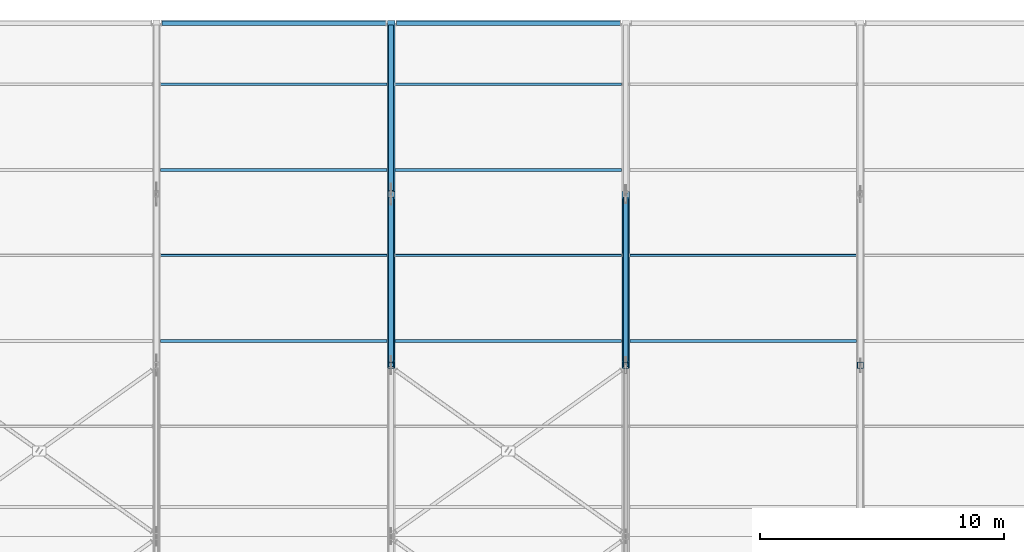
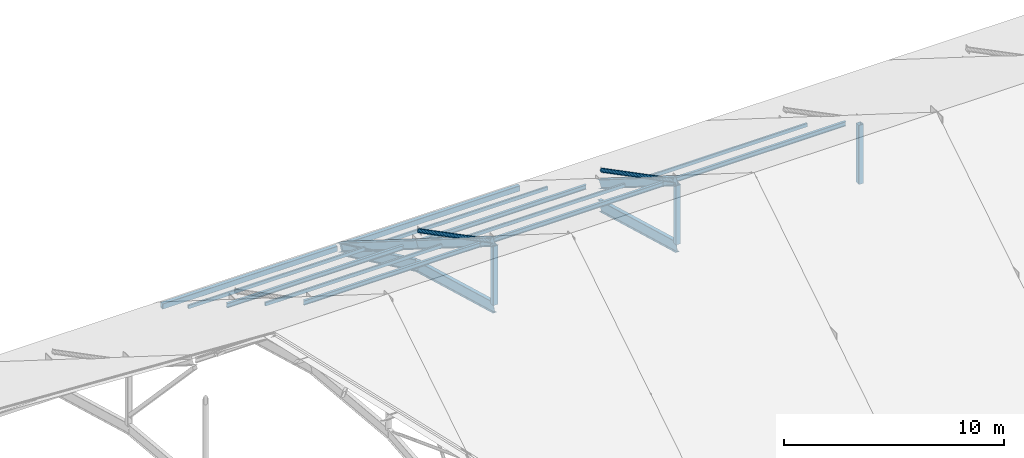
# One storey, part 14 of 66: 18 members, 5 beams.
"""IFC4 building model written with IfcOpenShell, lengths in metres."""

from ifc_helpers import new_model, si_unit, direction, frame, origin, origin_2d, place, context, subcontext, project, spatial, hollow_rectangle, hollow_circle, i_section, extrude, material, material_profile, profile_set, type_object, element, save


model = new_model("IFC4")

# Units and contexts
model_context = context("Model", 3, precision=1e-05, world=origin(), true_north=direction((0.0, 1.0)))
body_context = subcontext(model_context, "Body", "Model", "MODEL_VIEW")
ifc_project = project(units=[si_unit("LENGTHUNIT", "METRE"), si_unit("AREAUNIT", "SQUARE_METRE"), si_unit("VOLUMEUNIT", "CUBIC_METRE"), si_unit("PLANEANGLEUNIT", "RADIAN"), si_unit("MASSUNIT", "GRAM", prefix="KILO")], contexts=[model_context])

# Site, building, storey
site_placement = place(None, origin())
site = spatial("IfcSite", under=ifc_project, at=site_placement, CompositionType="ELEMENT")
building_placement = place(site_placement, origin())
building = spatial("IfcBuilding", under=site, at=building_placement, Name="Yeouljin Market Hall", CompositionType="ELEMENT")
storey_placement = place(building_placement, frame((0.0, 0.0, 23.39990234375)))
storey = spatial("IfcBuildingStorey", under=building, at=storey_placement, Name="RF", CompositionType="ELEMENT", Elevation=23.39990234375)

# Beams
ifc_material_1 = material(Name="Steel SM355", Category="steel")
ifc_material_profile_1 = material_profile(ifc_material_1, i_section(OverallWidth=0.199951171875, OverallDepth=0.60009765625, WebThickness=0.010986328125, FlangeThickness=0.01708984375, FilletRadius=0.02197265625, at=origin_2d()), Name="H-600x200x11x17")
ifc_profile_set_1 = profile_set([ifc_material_profile_1], Name="Steel SM355")
beam_type_1 = type_object("IfcBeamType", Name="Beam_H-600x200x11x17", PredefinedType="BEAM", material=ifc_profile_set_1)
beam_1_placement = place(storey_placement, frame((102.60009765625, 64.02001953125, -7.144287109375), z_axis=(0.0, 0.963516941196, -0.267647350124), x_axis=(-1.0, 0.0, 0.0)))
element("IfcBeam", 1, at=beam_1_placement, inside=storey, type_object=beam_type_1, Name="Truss AT-08 arch rib 5", PredefinedType="BEAM", context=body_context, shape_type="SweptSolid", body=[
    extrude(i_section(OverallWidth=0.199951171875, OverallDepth=0.60009765625, WebThickness=0.010986328125, FlangeThickness=0.01708984375, FilletRadius=0.02197265625, at=origin_2d()), origin(), (0.0, 0.0, 1.0), 7.223388671875),
])
beam_2_placement = place(storey_placement, frame((102.60009765625, 71.02001953125, -9.07763671875), z_axis=(0.0, 0.903192091176, -0.429236585623), x_axis=(-1.0, 0.0, 0.0)))
element("IfcBeam", 2, at=beam_2_placement, inside=storey, type_object=beam_type_1, Name="Truss AT-08 arch rib 6", PredefinedType="BEAM", context=body_context, shape_type="SweptSolid", body=[
    extrude(i_section(OverallWidth=0.199951171875, OverallDepth=0.60009765625, WebThickness=0.010986328125, FlangeThickness=0.01708984375, FilletRadius=0.02197265625, at=origin_2d()), origin(), (0.0, 0.0, 1.0), 7.5068359375),
])
beam_3_placement = place(storey_placement, frame((112.199951171875, 64.02001953125, -7.144287109375), z_axis=(0.0, 0.963516941196, -0.267647350124), x_axis=(-1.0, 0.0, 0.0)))
element("IfcBeam", 3, at=beam_3_placement, inside=storey, type_object=beam_type_1, Name="Truss AT-09 arch rib 5", PredefinedType="BEAM", context=body_context, shape_type="SweptSolid", body=[
    extrude(i_section(OverallWidth=0.199951171875, OverallDepth=0.60009765625, WebThickness=0.010986328125, FlangeThickness=0.01708984375, FilletRadius=0.02197265625, at=origin_2d()), origin(), (0.0, 0.0, 1.0), 7.223388671875),
])
ifc_material_2 = material(Name="Steel SM355", Category="steel")
ifc_material_profile_2 = material_profile(ifc_material_2, hollow_rectangle(XDim=0.199951171875, YDim=0.300048828125, WallThickness=0.009033203125, InnerFilletRadius=0.009033203125, OuterFilletRadius=0.01611328125, at=origin_2d()), Name="RHS-300x200x9")
ifc_profile_set_2 = profile_set([ifc_material_profile_2], Name="Steel SM355")
beam_type_2 = type_object("IfcBeamType", Name="Beam_RHS-300x200x9", PredefinedType="BEAM", material=ifc_profile_set_2)
for number, where, z_axis, x_axis, name in (
    (4, (93.216064453125, 78.0, -12.27978515625), (1.0, 0.0, 0.0), (0.0, 1.0, 0.0), "Hall eaves girder N07"),
    (5, (102.81591796875, 78.0, -12.27978515625), (1.0, 0.0, 0.0), (0.0, 1.0, 0.0), "Hall eaves girder N08"),
):
    element("IfcBeam", number, at=place(storey_placement, frame(where, z_axis=z_axis, x_axis=x_axis)), inside=storey, type_object=beam_type_2, Name=name, PredefinedType="BEAM", context=body_context, shape_type="SweptSolid", body=[
        extrude(hollow_rectangle(XDim=0.199951171875, YDim=0.300048828125, WallThickness=0.009033203125, InnerFilletRadius=0.009033203125, OuterFilletRadius=0.01611328125, at=origin_2d()), origin(), (0.0, 0.0, 1.0), 9.16796875),
    ])

# Members
ifc_material_3 = material(Name="Steel SM355", Category="steel")
ifc_material_profile_3 = material_profile(ifc_material_3, hollow_circle(Radius=0.108154296875, WallThickness=0.008056640625, at=origin_2d()), Name="CHS-216.3x8")
ifc_profile_set_3 = profile_set([ifc_material_profile_3], Name="Steel SM355")
member_type_1 = type_object("IfcMemberType", Name="Brace_CHS-216.3x8", PredefinedType="BRACE", material=ifc_profile_set_3)
for number, where, z_axis, x_axis, name in (
    (6, (102.60009765625, 64.195068359375, -3.6015625), (0.0, 0.886995164265, -0.461778711691), (-1.0, 0.0, 0.0), "Truss AT-08 web diagonal 5"),
    (7, (112.199951171875, 64.195068359375, -3.6015625), (0.0, 0.886995164265, -0.461778711691), (-1.0, 0.0, 0.0), "Truss AT-09 web diagonal 5"),
):
    element("IfcMember", number, at=place(storey_placement, frame(where, z_axis=z_axis, x_axis=x_axis)), inside=storey, type_object=member_type_1, Name=name, PredefinedType="BRACE", context=body_context, shape_type="SweptSolid", body=[
        extrude(hollow_circle(Radius=0.108154296875, WallThickness=0.008056640625, at=origin_2d()), origin(), (0.0, 0.0, 1.0), 7.451904296875),
    ])
ifc_material_4 = material(Name="Steel SM355", Category="steel")
ifc_material_profile_4 = material_profile(ifc_material_4, i_section(OverallWidth=0.300048828125, OverallDepth=0.43994140625, WebThickness=0.010986328125, FlangeThickness=0.01806640625, FilletRadius=0.02001953125, at=origin_2d()), Name="H-440x300x11x18")
ifc_profile_set_4 = profile_set([ifc_material_profile_4], Name="Steel SM355")
member_type_2 = type_object("IfcMemberType", Name="Chord_H-440x300x11x18", PredefinedType="CHORD", material=ifc_profile_set_4)
for number, where, z_axis, x_axis, name in (
    (8, (102.60009765625, 64.0, -3.5), (0.0, 0.846641870869, -0.53216307885), (-1.0, 0.0, 0.0), "Truss AT-08 top chord 5"),
    (9, (102.60009765625, 71.0, -7.89990234375), (0.0, 0.846641870869, -0.53216307885), (-1.0, 0.0, 0.0), "Truss AT-08 top chord 6"),
    (10, (112.199951171875, 64.0, -3.5), (0.0, 0.846641870869, -0.53216307885), (-1.0, 0.0, 0.0), "Truss AT-09 top chord 5"),
):
    element("IfcMember", number, at=place(storey_placement, frame(where, z_axis=z_axis, x_axis=x_axis)), inside=storey, type_object=member_type_2, Name=name, PredefinedType="CHORD", context=body_context, shape_type="SweptSolid", body=[
        extrude(i_section(OverallWidth=0.300048828125, OverallDepth=0.43994140625, WebThickness=0.010986328125, FlangeThickness=0.01806640625, FilletRadius=0.02001953125, at=origin_2d()), origin(), (0.0, 0.0, 1.0), 8.26806640625),
    ])
ifc_material_5 = material(Name="Steel SM355", Category="steel")
ifc_material_profile_5 = material_profile(ifc_material_5, i_section(OverallWidth=0.125, OverallDepth=0.25, WebThickness=0.006103515625, FlangeThickness=0.009033203125, FilletRadius=0.011962890625, at=origin_2d()), Name="H-250x125x6x9")
ifc_profile_set_5 = profile_set([ifc_material_profile_5], Name="Steel SM355")
member_type_3 = type_object("IfcMemberType", Name="Purlin_H-250x125x6x9", PredefinedType="PURLIN", material=ifc_profile_set_5)
for number, where, z_axis, x_axis, name in (
    (11, (93.166015625, 65.0, -4.20849609375), (1.0, 0.0, 0.0), (0.0, 1.0, 0.0), "Nave roof purlin 081"),
    (12, (93.166015625, 72.0, -8.6083984375), (1.0, 0.0, 0.0), (0.0, 1.0, 0.0), "Nave roof purlin 083"),
):
    element("IfcMember", number, at=place(storey_placement, frame(where, z_axis=z_axis, x_axis=x_axis)), inside=storey, type_object=member_type_3, Name=name, PredefinedType="PURLIN", context=body_context, shape_type="SweptSolid", body=[
        extrude(i_section(OverallWidth=0.125, OverallDepth=0.25, WebThickness=0.006103515625, FlangeThickness=0.009033203125, FilletRadius=0.011962890625, at=origin_2d()), origin(), (0.0, 0.0, 1.0), 9.26806640625),
    ])
for number, where, z_axis, x_axis, name in (
    (13, (102.76611328125, 65.0, -4.20849609375), (1.0, 0.0, 0.0), (0.0, 1.0, 0.0), "Nave roof purlin 093"),
    (14, (102.76611328125, 72.0, -8.6083984375), (1.0, 0.0, 0.0), (0.0, 1.0, 0.0), "Nave roof purlin 095"),
):
    element("IfcMember", number, at=place(storey_placement, frame(where, z_axis=z_axis, x_axis=x_axis)), inside=storey, type_object=member_type_3, Name=name, PredefinedType="PURLIN", context=body_context, shape_type="SweptSolid", body=[
        extrude(i_section(OverallWidth=0.125, OverallDepth=0.25, WebThickness=0.006103515625, FlangeThickness=0.009033203125, FilletRadius=0.011962890625, at=origin_2d()), origin(), (0.0, 0.0, 1.0), 9.267822265625),
    ])
member_1_placement = place(storey_placement, frame((112.365966796875, 65.0, -4.20849609375), z_axis=(1.0, 0.0, 0.0), x_axis=(0.0, 1.0, 0.0)))
element("IfcMember", 15, at=member_1_placement, inside=storey, type_object=member_type_3, Name="Nave roof purlin 105", PredefinedType="PURLIN", context=body_context, shape_type="SweptSolid", body=[
    extrude(i_section(OverallWidth=0.125, OverallDepth=0.25, WebThickness=0.006103515625, FlangeThickness=0.009033203125, FilletRadius=0.011962890625, at=origin_2d()), origin(), (0.0, 0.0, 1.0), 9.26806640625),
])
ifc_material_6 = material(Name="Steel SS275", Category="steel")
ifc_material_profile_6 = material_profile(ifc_material_6, hollow_rectangle(XDim=0.10009765625, YDim=0.199951171875, WallThickness=0.006103515625, InnerFilletRadius=0.006103515625, OuterFilletRadius=0.011962890625, at=origin_2d()), Name="RHS-200x100x6")
ifc_profile_set_6 = profile_set([ifc_material_profile_6], Name="Steel SS275")
member_type_4 = type_object("IfcMemberType", Name="Purlin_RHS-200x100x6", PredefinedType="PURLIN", material=ifc_profile_set_6)
for number, where, z_axis, x_axis, name in (
    (16, (93.166015625, 68.5, -6.408447265625), (1.0, 0.0, 0.0), (0.0, 1.0, 0.0), "Nave roof purlin 082"),
    (17, (93.166015625, 75.5, -10.80859375), (1.0, 0.0, 0.0), (0.0, 1.0, 0.0), "Nave roof purlin 084"),
):
    element("IfcMember", number, at=place(storey_placement, frame(where, z_axis=z_axis, x_axis=x_axis)), inside=storey, type_object=member_type_4, Name=name, PredefinedType="PURLIN", context=body_context, shape_type="SweptSolid", body=[
        extrude(hollow_rectangle(XDim=0.10009765625, YDim=0.199951171875, WallThickness=0.006103515625, InnerFilletRadius=0.006103515625, OuterFilletRadius=0.011962890625, at=origin_2d()), origin(), (0.0, 0.0, 1.0), 9.26806640625),
    ])
for number, where, z_axis, x_axis, name in (
    (18, (102.76611328125, 68.5, -6.408447265625), (1.0, 0.0, 0.0), (0.0, 1.0, 0.0), "Nave roof purlin 094"),
    (19, (102.76611328125, 75.5, -10.80859375), (1.0, 0.0, 0.0), (0.0, 1.0, 0.0), "Nave roof purlin 096"),
):
    element("IfcMember", number, at=place(storey_placement, frame(where, z_axis=z_axis, x_axis=x_axis)), inside=storey, type_object=member_type_4, Name=name, PredefinedType="PURLIN", context=body_context, shape_type="SweptSolid", body=[
        extrude(hollow_rectangle(XDim=0.10009765625, YDim=0.199951171875, WallThickness=0.006103515625, InnerFilletRadius=0.006103515625, OuterFilletRadius=0.011962890625, at=origin_2d()), origin(), (0.0, 0.0, 1.0), 9.267822265625),
    ])
member_2_placement = place(storey_placement, frame((112.365966796875, 68.5, -6.408447265625), z_axis=(1.0, 0.0, 0.0), x_axis=(0.0, 1.0, 0.0)))
element("IfcMember", 20, at=member_2_placement, inside=storey, type_object=member_type_4, Name="Nave roof purlin 106", PredefinedType="PURLIN", context=body_context, shape_type="SweptSolid", body=[
    extrude(hollow_rectangle(XDim=0.10009765625, YDim=0.199951171875, WallThickness=0.006103515625, InnerFilletRadius=0.006103515625, OuterFilletRadius=0.011962890625, at=origin_2d()), origin(), (0.0, 0.0, 1.0), 9.26806640625),
])
ifc_material_7 = material(Name="Steel SM355", Category="steel")
ifc_material_profile_7 = material_profile(ifc_material_7, hollow_rectangle(XDim=0.25, YDim=0.25, WallThickness=0.009033203125, InnerFilletRadius=0.009033203125, OuterFilletRadius=0.01611328125, at=origin_2d()), Name="SHS-250x250x9")
ifc_profile_set_7 = profile_set([ifc_material_profile_7], Name="Steel SM355")
member_type_5 = type_object("IfcMemberType", Name="Strut_SHS-250x250x9", PredefinedType="STRUT", material=ifc_profile_set_7)
for number, where, z_axis, x_axis, name in (
    (21, (102.60009765625, 64.0, -6.96435546875), (0.0, 0.0, 1.0), (1.0, 0.0, 0.0), "Truss AT-08 vertical strut 4"),
    (22, (112.199951171875, 64.0, -6.96435546875), (0.0, 0.0, 1.0), (1.0, 0.0, 0.0), "Truss AT-09 vertical strut 4"),
    (23, (121.800048828125, 64.0, -6.96435546875), (0.0, 0.0, 1.0), (1.0, 0.0, 0.0), "Truss AT-10 vertical strut 4"),
):
    element("IfcMember", number, at=place(storey_placement, frame(where, z_axis=z_axis, x_axis=x_axis)), inside=storey, type_object=member_type_5, Name=name, PredefinedType="STRUT", context=body_context, shape_type="SweptSolid", body=[
        extrude(hollow_rectangle(XDim=0.25, YDim=0.25, WallThickness=0.009033203125, InnerFilletRadius=0.009033203125, OuterFilletRadius=0.01611328125, at=origin_2d()), origin(), (0.0, 0.0, 1.0), 3.284423828125),
    ])

save(model, "model.ifc")
